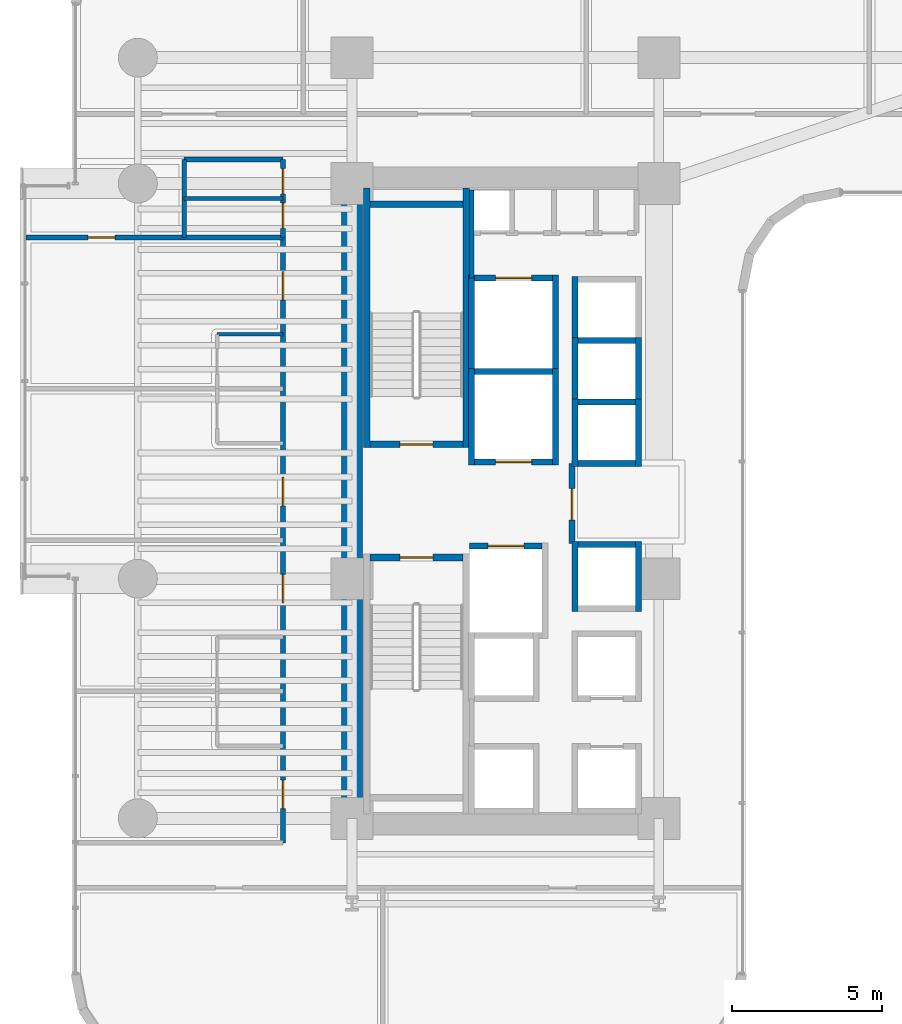
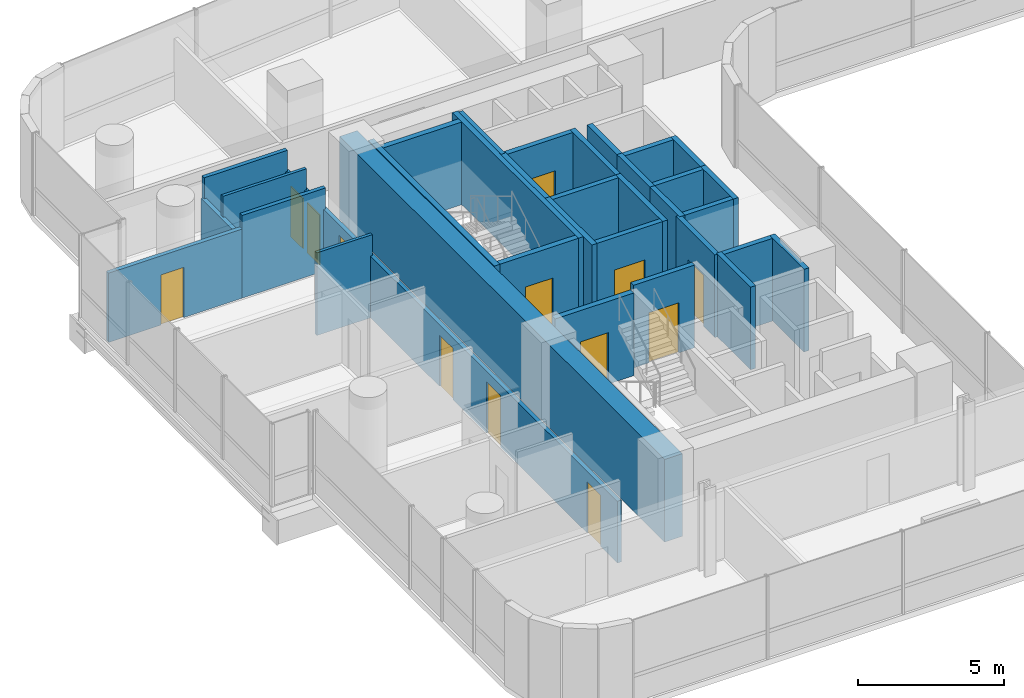
# One storey, part 30 of 39: 35 walls, 13 doors, 13 openings.
"""IFC4 building model written with IfcOpenShell, lengths in metres."""

from ifc_helpers import new_model, si_unit, direction, frame, frame_2d, origin, place, context, subcontext, project, spatial, rectangle, extrude, material, layer, layer_set, type_object, element, fill, save


model = new_model("IFC4")

# Units and contexts
model_context = context("Model", 3, precision=1e-05, world=origin(), true_north=direction((0.0, 1.0)))
body_context = subcontext(model_context, "Body", "Model", "MODEL_VIEW")
ifc_project = project(units=[si_unit("LENGTHUNIT", "METRE"), si_unit("AREAUNIT", "SQUARE_METRE"), si_unit("VOLUMEUNIT", "CUBIC_METRE"), si_unit("PLANEANGLEUNIT", "RADIAN"), si_unit("MASSUNIT", "GRAM", prefix="KILO")], contexts=[model_context])

# Site, building, storey
site_placement = place(None, origin())
site = spatial("IfcSite", under=ifc_project, at=site_placement, CompositionType="ELEMENT")
building_placement = place(site_placement, origin())
building = spatial("IfcBuilding", under=site, at=building_placement, Name="Valdorenza Pilgrim Sanctuary Tower", CompositionType="ELEMENT")
storey_placement = place(building_placement, frame((0.0, 0.0, 77.800048828125)))
storey = spatial("IfcBuildingStorey", under=building, at=storey_placement, Name="L19", CompositionType="ELEMENT", Elevation=77.800048828125)

# Walls
ifc_material_1 = material(Name="Acoustic twin-stud gypsum partition", Category="gypsum")
ifc_layer_1 = layer(ifc_material_1, 0.159912109375, Name="Acoustic twin-stud gypsum partition")
ifc_layer_set_1 = layer_set([ifc_layer_1], Name="Acoustic twin-stud gypsum partition")
wall_type_1 = type_object("IfcWallType", Name="WAL-COR-160", PredefinedType="PARTITIONING", material=ifc_layer_set_1)
wall_1_placement = place(storey_placement, frame((-18.64990234375, 7.449951171875, 0.0), z_axis=(0.0, 0.0, 1.0), x_axis=(0.0, 1.0, 0.0)))
element("IfcWall", 1, at=wall_1_placement, inside=storey, type_object=wall_type_1, Name="L19 Core A North Service West Wall", PredefinedType="PARTITIONING", context=body_context, shape_type="SweptSolid", body=[
    extrude(rectangle(XDim=2.929931640625, YDim=0.159912109375, at=frame_2d((1.46484375, 0.0))), origin(), (0.0, 0.0, 1.0), 3.4599609375),
])
wall_2_placement = place(storey_placement, frame((-28.25, 8.800048828125, 0.0), z_axis=(0.0, 0.0, 1.0), x_axis=(0.0, 1.0, 0.0)))
element("IfcWall", 2, at=wall_2_placement, inside=storey, type_object=wall_type_1, Name="L19 Washroom West Wall", PredefinedType="PARTITIONING", context=body_context, shape_type="SweptSolid", body=[
    extrude(rectangle(XDim=2.599853515625, YDim=0.159912109375, at=frame_2d((1.2998046875, 0.0))), origin(), (0.0, 0.0, 1.0), 2.5830078125),
])

# Wall, openings, doors
wall_3_placement = place(storey_placement, frame((-24.949951171875, 8.800048828125, 0.0), z_axis=(0.0, 0.0, 1.0), x_axis=(0.0, 1.0, 0.0)))
wall_3 = element("IfcWall", 3, at=wall_3_placement, inside=storey, type_object=wall_type_1, Name="L19 Washroom East Wall", PredefinedType="PARTITIONING", context=body_context, shape_type="SweptSolid", body=[
    extrude(rectangle(XDim=2.599853515625, YDim=0.159912109375, at=frame_2d((1.2998046875, 0.0))), origin(), (0.0, 0.0, 1.0), 2.5830078125),
])
opening_1_placement = place(wall_3_placement, frame((0.300048828125, 0.0, 0.0)))
opening_1 = element("IfcOpeningElement", 4, at=opening_1_placement, cuts=wall_3, Name="Opening DR-WC1", PredefinedType="OPENING", context=body_context, shape_type="SweptSolid", body=[
    extrude(rectangle(XDim=0.85009765625, YDim=2.10009765625, at=frame_2d((0.425048828125, 1.050048828125))), frame((0.0, 0.0947265625, 0.0), z_axis=(0.0, -1.0, 0.0), x_axis=(1.0, 0.0, 0.0)), (0.0, 0.0, 1.0), 0.189697265625),
])
opening_2_placement = place(wall_3_placement, frame((1.449951171875, 0.0, 0.0)))
opening_2 = element("IfcOpeningElement", 5, at=opening_2_placement, cuts=wall_3, Name="Opening DR-WC1", PredefinedType="OPENING", context=body_context, shape_type="SweptSolid", body=[
    extrude(rectangle(XDim=0.85009765625, YDim=2.10009765625, at=frame_2d((0.425048828125, 1.050048828125))), frame((0.0, 0.0947265625, 0.0), z_axis=(0.0, -1.0, 0.0), x_axis=(1.0, 0.0, 0.0)), (0.0, 0.0, 1.0), 0.189697265625),
])
ifc_material_2 = material(Name="Moisture-resistant lacquered timber", Category="wood")
door_type_1 = type_object("IfcDoorType", Name="DR-BATH-850", OperationType="NOTDEFINED", PredefinedType="DOOR", material=ifc_material_2)
door_1_placement = place(opening_1_placement, origin())
door_1 = element("IfcDoor", 6, at=door_1_placement, inside=storey, type_object=door_type_1, Name="L19 Accessible Washroom Door", OperationType="SINGLE_SWING_LEFT", OverallHeight=2.10009765625, OverallWidth=0.85009765625, PredefinedType="DOOR", context=body_context, shape_type="SweptSolid", body=[
    extrude(rectangle(XDim=0.85009765625, YDim=2.10009765625, at=frame_2d((0.425048828125, 1.050048828125))), frame((0.0, 0.02490234375, 0.0), z_axis=(0.0, -1.0, 0.0), x_axis=(1.0, 0.0, 0.0)), (0.0, 0.0, 1.0), 0.050048828125),
])
fill(opening_1, door_1)
door_2_placement = place(opening_2_placement, origin())
door_2 = element("IfcDoor", 7, at=door_2_placement, inside=storey, type_object=door_type_1, Name="L19 Public Washroom Door", OperationType="SINGLE_SWING_RIGHT", OverallHeight=2.10009765625, OverallWidth=0.85009765625, PredefinedType="DOOR", context=body_context, shape_type="SweptSolid", body=[
    extrude(rectangle(XDim=0.85009765625, YDim=2.10009765625, at=frame_2d((0.425048828125, 1.050048828125))), frame((0.0, 0.02490234375, 0.0), z_axis=(0.0, -1.0, 0.0), x_axis=(1.0, 0.0, 0.0)), (0.0, 0.0, 1.0), 0.050048828125),
])
fill(opening_2, door_2)

# Walls
for number, where, z_axis, x_axis, name in (
    (8, (-28.25, 8.800048828125, 0.0), (0.0, 0.0, 1.0), (1.0, 0.0, 0.0), "L19 Washroom South Wall"),
    (9, (-28.25, 11.39990234375, 0.0), (0.0, 0.0, 1.0), (1.0, 0.0, 0.0), "L19 Washroom North Wall"),
):
    element("IfcWall", number, at=place(storey_placement, frame(where, z_axis=z_axis, x_axis=x_axis)), inside=storey, type_object=wall_type_1, Name=name, PredefinedType="PARTITIONING", context=body_context, shape_type="SweptSolid", body=[
        extrude(rectangle(XDim=3.300048828125, YDim=0.159912109375, at=frame_2d((1.64990234375, 0.0))), origin(), (0.0, 0.0, 1.0), 3.4599609375),
    ])

# Wall, openings, doors
wall_4_placement = place(storey_placement, frame((-24.949951171875, -11.419921875, 0.0), z_axis=(0.0, 0.0, 1.0), x_axis=(0.0, 1.0, 0.0)))
wall_4 = element("IfcWall", 10, at=wall_4_placement, inside=storey, type_object=wall_type_1, Name="L19 West Wing Corridor Wall", PredefinedType="PARTITIONING", context=body_context, shape_type="SweptSolid", body=[
    extrude(rectangle(XDim=20.219970703125, YDim=0.159912109375, at=frame_2d((10.10986328125, 0.0))), origin(), (0.0, 0.0, 1.0), 2.5830078125),
])
opening_3_placement = place(wall_4_placement, frame((1.14208984375, 0.0, 0.0)))
opening_3 = element("IfcOpeningElement", 11, at=opening_3_placement, cuts=wall_4, Name="Opening DR-UN1", PredefinedType="OPENING", context=body_context, shape_type="SweptSolid", body=[
    extrude(rectangle(XDim=0.949951171875, YDim=2.14990234375, at=frame_2d((0.47509765625, 1.074951171875))), frame((0.0, 0.0947265625, 0.0), z_axis=(0.0, -1.0, 0.0), x_axis=(1.0, 0.0, 0.0)), (0.0, 0.0, 1.0), 0.189697265625),
])
opening_4_placement = place(wall_4_placement, frame((8.01806640625, 0.0, 0.0)))
opening_4 = element("IfcOpeningElement", 12, at=opening_4_placement, cuts=wall_4, Name="Opening DR-UN1", PredefinedType="OPENING", context=body_context, shape_type="SweptSolid", body=[
    extrude(rectangle(XDim=0.949951171875, YDim=2.14990234375, at=frame_2d((0.47509765625, 1.074951171875))), frame((0.0, 0.0947265625, 0.0), z_axis=(0.0, -1.0, 0.0), x_axis=(1.0, 0.0, 0.0)), (0.0, 0.0, 1.0), 0.189697265625),
])
opening_5_placement = place(wall_4_placement, frame((11.251953125, 0.0, 0.0)))
opening_5 = element("IfcOpeningElement", 13, at=opening_5_placement, cuts=wall_4, Name="Opening DR-UN1", PredefinedType="OPENING", context=body_context, shape_type="SweptSolid", body=[
    extrude(rectangle(XDim=0.949951171875, YDim=2.14990234375, at=frame_2d((0.47509765625, 1.074951171875))), frame((0.0, 0.0947265625, 0.0), z_axis=(0.0, -1.0, 0.0), x_axis=(1.0, 0.0, 0.0)), (0.0, 0.0, 1.0), 0.189697265625),
])
opening_6_placement = place(wall_4_placement, frame((18.126953125, 0.0, 0.0)))
opening_6 = element("IfcOpeningElement", 14, at=opening_6_placement, cuts=wall_4, Name="Opening DR-UN1", PredefinedType="OPENING", context=body_context, shape_type="SweptSolid", body=[
    extrude(rectangle(XDim=0.949951171875, YDim=2.14990234375, at=frame_2d((0.47509765625, 1.074951171875))), frame((0.0, 0.0947265625, 0.0), z_axis=(0.0, -1.0, 0.0), x_axis=(1.0, 0.0, 0.0)), (0.0, 0.0, 1.0), 0.189697265625),
])
ifc_material_3 = material(Name="Solid-core European oak timber", Category="wood")
door_type_2 = type_object("IfcDoorType", Name="DR-UNIT-950", OperationType="NOTDEFINED", PredefinedType="DOOR", material=ifc_material_3)
door_3_placement = place(opening_3_placement, origin())
door_3 = element("IfcDoor", 15, at=door_3_placement, inside=storey, type_object=door_type_2, Name="L19 Pilgrim Guest Room L19-W1 Entrance Door", OperationType="SINGLE_SWING_RIGHT", OverallHeight=2.14990234375, OverallWidth=0.949951171875, PredefinedType="DOOR", context=body_context, shape_type="SweptSolid", body=[
    extrude(rectangle(XDim=0.949951171875, YDim=2.14990234375, at=frame_2d((0.47509765625, 1.074951171875))), frame((0.0, 0.02490234375, 0.0), z_axis=(0.0, -1.0, 0.0), x_axis=(1.0, 0.0, 0.0)), (0.0, 0.0, 1.0), 0.050048828125),
])
fill(opening_3, door_3)
door_4_placement = place(opening_4_placement, origin())
door_4 = element("IfcDoor", 16, at=door_4_placement, inside=storey, type_object=door_type_2, Name="L19 Pilgrim Guest Room L19-W2 Entrance Door", OperationType="SINGLE_SWING_RIGHT", OverallHeight=2.14990234375, OverallWidth=0.949951171875, PredefinedType="DOOR", context=body_context, shape_type="SweptSolid", body=[
    extrude(rectangle(XDim=0.949951171875, YDim=2.14990234375, at=frame_2d((0.47509765625, 1.074951171875))), frame((0.0, 0.02490234375, 0.0), z_axis=(0.0, -1.0, 0.0), x_axis=(1.0, 0.0, 0.0)), (0.0, 0.0, 1.0), 0.050048828125),
])
fill(opening_4, door_4)
door_5_placement = place(opening_5_placement, origin())
door_5 = element("IfcDoor", 17, at=door_5_placement, inside=storey, type_object=door_type_2, Name="L19 Pilgrim Guest Room L19-W3 Entrance Door", OperationType="SINGLE_SWING_RIGHT", OverallHeight=2.14990234375, OverallWidth=0.949951171875, PredefinedType="DOOR", context=body_context, shape_type="SweptSolid", body=[
    extrude(rectangle(XDim=0.949951171875, YDim=2.14990234375, at=frame_2d((0.47509765625, 1.074951171875))), frame((0.0, 0.02490234375, 0.0), z_axis=(0.0, -1.0, 0.0), x_axis=(1.0, 0.0, 0.0)), (0.0, 0.0, 1.0), 0.050048828125),
])
fill(opening_5, door_5)
door_6_placement = place(opening_6_placement, origin())
door_6 = element("IfcDoor", 18, at=door_6_placement, inside=storey, type_object=door_type_2, Name="L19 Pilgrim Guest Room L19-W4 Entrance Door", OperationType="SINGLE_SWING_RIGHT", OverallHeight=2.14990234375, OverallWidth=0.949951171875, PredefinedType="DOOR", context=body_context, shape_type="SweptSolid", body=[
    extrude(rectangle(XDim=0.949951171875, YDim=2.14990234375, at=frame_2d((0.47509765625, 1.074951171875))), frame((0.0, 0.02490234375, 0.0), z_axis=(0.0, -1.0, 0.0), x_axis=(1.0, 0.0, 0.0)), (0.0, 0.0, 1.0), 0.050048828125),
])
fill(opening_6, door_6)

# Wall, opening, door
wall_5_placement = place(storey_placement, frame((-33.5400390625, 8.800048828125, 0.0), z_axis=(0.0, 0.0, 1.0), x_axis=(1.0, 0.0, 0.0)))
wall_5 = element("IfcWall", 19, at=wall_5_placement, inside=storey, type_object=wall_type_1, Name="L19 West North Alcove Wall", PredefinedType="PARTITIONING", context=body_context, shape_type="SweptSolid", body=[
    extrude(rectangle(XDim=5.2900390625, YDim=0.159912109375, at=frame_2d((2.64501953125, 0.0))), origin(), (0.0, 0.0, 1.0), 2.89599609375),
])
opening_7_placement = place(wall_5_placement, frame((2.080078125, 0.0, 0.0)))
opening_7 = element("IfcOpeningElement", 20, at=opening_7_placement, cuts=wall_5, Name="Opening DR-RM1", PredefinedType="OPENING", context=body_context, shape_type="SweptSolid", body=[
    extrude(rectangle(XDim=0.89990234375, YDim=2.10009765625, at=frame_2d((0.449951171875, 1.050048828125))), frame((0.0, 0.0947265625, 0.0), z_axis=(0.0, -1.0, 0.0), x_axis=(1.0, 0.0, 0.0)), (0.0, 0.0, 1.0), 0.189697265625),
])
door_type_3 = type_object("IfcDoorType", Name="DR-ROOM-900", OperationType="NOTDEFINED", PredefinedType="DOOR", material=ifc_material_3)
door_7_placement = place(opening_7_placement, frame((0.89990234375, 0.0, 0.0), z_axis=(0.0, 0.0, 1.0), x_axis=(-1.0, 0.0, 0.0)))
door_7 = element("IfcDoor", 21, at=door_7_placement, inside=storey, type_object=door_type_3, Name="L19 Pilgrim Scholar Office L19-WN Door", OperationType="SINGLE_SWING_LEFT", OverallHeight=2.10009765625, OverallWidth=0.89990234375, PredefinedType="DOOR", context=body_context, shape_type="SweptSolid", body=[
    extrude(rectangle(XDim=0.89990234375, YDim=2.10009765625, at=frame_2d((0.449951171875, 1.050048828125))), frame((0.0, 0.02490234375, 0.0), z_axis=(0.0, -1.0, 0.0), x_axis=(1.0, 0.0, 0.0)), (0.0, 0.0, 1.0), 0.050048828125),
])
fill(opening_7, door_7)

# Wall
ifc_material_4 = material(Name="Concrete C60/75", Category="concrete")
ifc_layer_2 = layer(ifc_material_4, 0.699951171875, Name="Concrete C60/75")
ifc_layer_set_2 = layer_set([ifc_layer_2], Name="Concrete C60/75")
wall_type_2 = type_object("IfcWallType", Name="WAL-COR-700", PredefinedType="SHEAR", material=ifc_layer_set_2)
wall_6_placement = place(storey_placement, frame((-22.64990234375, -11.14990234375, 0.0), z_axis=(0.0, 0.0, 1.0), x_axis=(0.0, 1.0, 0.0)))
element("IfcWall", 22, at=wall_6_placement, inside=storey, type_object=wall_type_2, Name="L19 Split Core A Shear Wall W", PredefinedType="SHEAR", context=body_context, shape_type="SweptSolid", body=[
    extrude(rectangle(XDim=22.2998046875, YDim=0.699951171875, at=frame_2d((11.14990234375, 0.0))), origin(), (0.0, 0.0, 1.0), 3.4599609375),
])

# Wall, opening, door
ifc_material_5 = material(Name="Gypsum shaftwall partition", Category="gypsum")
ifc_layer_3 = layer(ifc_material_5, 0.199951171875, Name="Gypsum shaftwall partition")
ifc_layer_set_3 = layer_set([ifc_layer_3], Name="Gypsum shaftwall partition")
wall_type_3 = type_object("IfcWallType", Name="WAL-FFL-200", PredefinedType="PARTITIONING", material=ifc_layer_set_3)
wall_7_placement = place(storey_placement, frame((-15.300048828125, -1.419921875, 0.0), z_axis=(0.0, 0.0, 1.0), x_axis=(0.0, 1.0, 0.0)))
wall_7 = element("IfcWall", 23, at=wall_7_placement, inside=storey, type_object=wall_type_3, Name="L19 Core A Firefighting Lobby East Wall", PredefinedType="PARTITIONING", context=body_context, shape_type="SweptSolid", body=[
    extrude(rectangle(XDim=2.669921875, YDim=0.199951171875, at=frame_2d((1.3349609375, 0.0))), origin(), (0.0, 0.0, 1.0), 3.4599609375),
])
opening_8_placement = place(wall_7_placement, frame((0.780029296875, 0.0, 0.0)))
opening_8 = element("IfcOpeningElement", 24, at=opening_8_placement, cuts=wall_7, Name="Opening DR-FL1", PredefinedType="OPENING", context=body_context, shape_type="SweptSolid", body=[
    extrude(rectangle(XDim=1.050048828125, YDim=2.14990234375, at=frame_2d((0.52490234375, 1.074951171875))), frame((0.0, 0.11474609375, 0.0), z_axis=(0.0, -1.0, 0.0), x_axis=(1.0, 0.0, 0.0)), (0.0, 0.0, 1.0), 0.229736328125),
])
ifc_material_6 = material(Name="Painted galvanized steel", Category="steel")
door_type_4 = type_object("IfcDoorType", Name="DR-FFL-1050", OperationType="NOTDEFINED", PredefinedType="DOOR", material=ifc_material_6)
door_8_placement = place(opening_8_placement, origin())
door_8 = element("IfcDoor", 25, at=door_8_placement, inside=storey, type_object=door_type_4, Name="L19 Core A Firefighting Lobby Door", OperationType="SINGLE_SWING_RIGHT", OverallHeight=2.14990234375, OverallWidth=1.050048828125, PredefinedType="DOOR", context=body_context, shape_type="SweptSolid", body=[
    extrude(rectangle(XDim=1.050048828125, YDim=2.14990234375, at=frame_2d((0.52490234375, 1.074951171875))), frame((0.0, 0.02490234375, 0.0), z_axis=(0.0, -1.0, 0.0), x_axis=(1.0, 0.0, 0.0)), (0.0, 0.0, 1.0), 0.050048828125),
])
fill(opening_8, door_8)

# Walls
ifc_material_7 = material(Name="Moisture-resistant gypsum partition", Category="gypsum")
ifc_layer_4 = layer(ifc_material_7, 0.1201171875, Name="Moisture-resistant gypsum partition")
ifc_layer_set_4 = layer_set([ifc_layer_4], Name="Moisture-resistant gypsum partition")
wall_type_4 = type_object("IfcWallType", Name="WAL-INT-120", PredefinedType="PARTITIONING", material=ifc_layer_set_4)
wall_8_placement = place(storey_placement, frame((-28.25, 10.10009765625, 0.0), z_axis=(0.0, 0.0, 1.0), x_axis=(1.0, 0.0, 0.0)))
element("IfcWall", 26, at=wall_8_placement, inside=storey, type_object=wall_type_4, Name="L19 Washroom Divider Wall", PredefinedType="PARTITIONING", context=body_context, shape_type="SweptSolid", body=[
    extrude(rectangle(XDim=3.300048828125, YDim=0.1201171875, at=frame_2d((1.64990234375, 0.0))), origin(), (0.0, 0.0, 1.0), 3.4599609375),
])
wall_9_placement = place(storey_placement, frame((-27.14990234375, 5.56494140625, 0.0), z_axis=(0.0, 0.0, 1.0), x_axis=(1.0, 0.0, 0.0)))
element("IfcWall", 27, at=wall_9_placement, inside=storey, type_object=wall_type_4, Name="L19 Pilgrim Guest Room L19-W4 En-suite North Wall", PredefinedType="PARTITIONING", context=body_context, shape_type="SweptSolid", body=[
    extrude(rectangle(XDim=2.199951171875, YDim=0.1201171875, at=frame_2d((1.10009765625, 0.0))), origin(), (0.0, 0.0, 1.0), 3.4599609375),
])
ifc_material_8 = material(Name="Autoclaved aerated concrete blockwork", Category="masonry")
ifc_layer_5 = layer(ifc_material_8, 0.199951171875, Name="Autoclaved aerated concrete blockwork")
ifc_layer_set_5 = layer_set([ifc_layer_5], Name="Autoclaved aerated concrete blockwork")
wall_type_5 = type_object("IfcWallType", Name="WAL-SHF-200", PredefinedType="MOVABLE", material=ifc_layer_set_5)
for number, where, z_axis, x_axis, name in (
    (28, (-18.64990234375, 1.199951171875, 0.0), (0.0, 0.0, 1.0), (0.0, 1.0, 0.0), "L19 Lift FFL-01 Hoistway Wall West"),
    (29, (-15.85009765625, 1.199951171875, 0.0), (0.0, 0.0, 1.0), (0.0, 1.0, 0.0), "L19 Lift FFL-01 Hoistway Wall East"),
):
    element("IfcWall", number, at=place(storey_placement, frame(where, z_axis=z_axis, x_axis=x_axis)), inside=storey, type_object=wall_type_5, Name=name, PredefinedType="MOVABLE", context=body_context, shape_type="SweptSolid", body=[
        extrude(rectangle(XDim=3.22509765625, YDim=0.199951171875, at=frame_2d((1.612548828125, 0.0))), origin(), (0.0, 0.0, 1.0), 3.4599609375),
    ])

# Wall, opening, door
wall_10_placement = place(storey_placement, frame((-18.550048828125, 1.300048828125, 0.0), z_axis=(0.0, 0.0, 1.0), x_axis=(1.0, 0.0, 0.0)))
wall_10 = element("IfcWall", 30, at=wall_10_placement, inside=storey, type_object=wall_type_5, Name="L19 Lift FFL-01 Hoistway Wall South", PredefinedType="MOVABLE", context=body_context, shape_type="SweptSolid", body=[
    extrude(rectangle(XDim=2.60009765625, YDim=0.199951171875, at=frame_2d((1.300048828125, 0.0))), origin(), (0.0, 0.0, 1.0), 3.4599609375),
])
opening_9_placement = place(wall_10_placement, frame((0.699951171875, 0.0, 0.0)))
opening_9 = element("IfcOpeningElement", 31, at=opening_9_placement, cuts=wall_10, Name="Opening LD-02", PredefinedType="OPENING", context=body_context, shape_type="SweptSolid", body=[
    extrude(rectangle(XDim=1.199951171875, YDim=2.10009765625, at=frame_2d((0.60009765625, 1.050048828125))), frame((0.0, 0.11474609375, 0.0), z_axis=(0.0, -1.0, 0.0), x_axis=(1.0, 0.0, 0.0)), (0.0, 0.0, 1.0), 0.229736328125),
])
ifc_material_9 = material(Name="Brushed stainless steel Grade 316", Category="steel")
door_type_5 = type_object("IfcDoorType", Name="DR-LFT-1200", OperationType="DOUBLE_DOOR_SLIDING", PredefinedType="DOOR", material=ifc_material_9)
door_9_placement = place(opening_9_placement, origin())
door_9 = element("IfcDoor", 32, at=door_9_placement, inside=storey, type_object=door_type_5, Name="L19 Lift FFL-01 Sliding Landing Door", OperationType="DOUBLE_DOOR_SLIDING", OverallHeight=2.10009765625, OverallWidth=1.199951171875, PredefinedType="DOOR", context=body_context, shape_type="SweptSolid", body=[
    extrude(rectangle(XDim=1.199951171875, YDim=2.10009765625, at=frame_2d((0.60009765625, 1.050048828125))), frame((0.0, 0.02490234375, 0.0), z_axis=(0.0, -1.0, 0.0), x_axis=(1.0, 0.0, 0.0)), (0.0, 0.0, 1.0), 0.050048828125),
])
fill(opening_9, door_9)

# Wall
wall_11_placement = place(storey_placement, frame((-18.550048828125, 4.324951171875, 0.0), z_axis=(0.0, 0.0, 1.0), x_axis=(1.0, 0.0, 0.0)))
element("IfcWall", 33, at=wall_11_placement, inside=storey, type_object=wall_type_5, Name="L19 Lift FFL-01 Hoistway Wall North", PredefinedType="MOVABLE", context=body_context, shape_type="SweptSolid", body=[
    extrude(rectangle(XDim=2.60009765625, YDim=0.199951171875, at=frame_2d((1.300048828125, 0.0))), origin(), (0.0, 0.0, 1.0), 3.4599609375),
])

# Wall, opening, door
wall_12_placement = place(storey_placement, frame((-18.719970703125, -1.5, 0.0), z_axis=(0.0, 0.0, 1.0), x_axis=(1.0, 0.0, 0.0)))
wall_12 = element("IfcWall", 34, at=wall_12_placement, inside=storey, type_object=wall_type_5, Name="L19 Lift FFL-02 Hoistway Wall North", PredefinedType="MOVABLE", context=body_context, shape_type="SweptSolid", body=[
    extrude(rectangle(XDim=2.419921875, YDim=0.199951171875, at=frame_2d((1.2099609375, 0.0))), origin(), (0.0, 0.0, 1.0), 3.4599609375),
])
opening_10_placement = place(wall_12_placement, frame((0.610107421875, 0.0, 0.0)))
opening_10 = element("IfcOpeningElement", 35, at=opening_10_placement, cuts=wall_12, Name="Opening LD-02", PredefinedType="OPENING", context=body_context, shape_type="SweptSolid", body=[
    extrude(rectangle(XDim=1.199951171875, YDim=2.10009765625, at=frame_2d((0.60009765625, 1.050048828125))), frame((0.0, 0.11474609375, 0.0), z_axis=(0.0, -1.0, 0.0), x_axis=(1.0, 0.0, 0.0)), (0.0, 0.0, 1.0), 0.229736328125),
])
door_10_placement = place(opening_10_placement, origin())
door_10 = element("IfcDoor", 36, at=door_10_placement, inside=storey, type_object=door_type_5, Name="L19 Lift FFL-02 Sliding Landing Door", OperationType="DOUBLE_DOOR_SLIDING", OverallHeight=2.10009765625, OverallWidth=1.199951171875, PredefinedType="DOOR", context=body_context, shape_type="SweptSolid", body=[
    extrude(rectangle(XDim=1.199951171875, YDim=2.10009765625, at=frame_2d((0.60009765625, 1.050048828125))), frame((0.0, 0.02490234375, 0.0), z_axis=(0.0, -1.0, 0.0), x_axis=(1.0, 0.0, 0.0)), (0.0, 0.0, 1.0), 0.050048828125),
])
fill(opening_10, door_10)

# Walls
for number, where, z_axis, x_axis, name in (
    (37, (-18.64990234375, 4.22509765625, 0.0), (0.0, 0.0, 1.0), (0.0, 1.0, 0.0), "L19 Lift SVL-01 Hoistway Wall West"),
    (38, (-15.85009765625, 4.22509765625, 0.0), (0.0, 0.0, 1.0), (0.0, 1.0, 0.0), "L19 Lift SVL-01 Hoistway Wall East"),
):
    element("IfcWall", number, at=place(storey_placement, frame(where, z_axis=z_axis, x_axis=x_axis)), inside=storey, type_object=wall_type_5, Name=name, PredefinedType="MOVABLE", context=body_context, shape_type="SweptSolid", body=[
        extrude(rectangle(XDim=3.324951171875, YDim=0.199951171875, at=frame_2d((1.66259765625, 0.0))), origin(), (0.0, 0.0, 1.0), 3.4599609375),
    ])

# Wall, opening, door
wall_13_placement = place(storey_placement, frame((-18.550048828125, 7.449951171875, 0.0), z_axis=(0.0, 0.0, 1.0), x_axis=(1.0, 0.0, 0.0)))
wall_13 = element("IfcWall", 39, at=wall_13_placement, inside=storey, type_object=wall_type_5, Name="L19 Lift SVL-01 Hoistway Wall North", PredefinedType="MOVABLE", context=body_context, shape_type="SweptSolid", body=[
    extrude(rectangle(XDim=2.60009765625, YDim=0.199951171875, at=frame_2d((1.300048828125, 0.0))), origin(), (0.0, 0.0, 1.0), 3.4599609375),
])
opening_11_placement = place(wall_13_placement, frame((0.699951171875, 0.0, 0.0)))
opening_11 = element("IfcOpeningElement", 40, at=opening_11_placement, cuts=wall_13, Name="Opening LD-02", PredefinedType="OPENING", context=body_context, shape_type="SweptSolid", body=[
    extrude(rectangle(XDim=1.199951171875, YDim=2.10009765625, at=frame_2d((0.60009765625, 1.050048828125))), frame((0.0, 0.11474609375, 0.0), z_axis=(0.0, -1.0, 0.0), x_axis=(1.0, 0.0, 0.0)), (0.0, 0.0, 1.0), 0.229736328125),
])
door_11_placement = place(opening_11_placement, origin())
door_11 = element("IfcDoor", 41, at=door_11_placement, inside=storey, type_object=door_type_5, Name="L19 Lift SVL-01 Sliding Landing Door", OperationType="DOUBLE_DOOR_SLIDING", OverallHeight=2.10009765625, OverallWidth=1.199951171875, PredefinedType="DOOR", context=body_context, shape_type="SweptSolid", body=[
    extrude(rectangle(XDim=1.199951171875, YDim=2.10009765625, at=frame_2d((0.60009765625, 1.050048828125))), frame((0.0, 0.02490234375, 0.0), z_axis=(0.0, -1.0, 0.0), x_axis=(1.0, 0.0, 0.0)), (0.0, 0.0, 1.0), 0.050048828125),
])
fill(opening_11, door_11)

# Walls
for number, where, z_axis, x_axis, name in (
    (42, (-15.199951171875, 1.14990234375, 0.0), (0.0, 0.0, 1.0), (0.0, 1.0, 0.0), "L19 Lift PL-06 Hoistway Wall West"),
    (43, (-13.080078125, 1.14990234375, 0.0), (0.0, 0.0, 1.0), (0.0, 1.0, 0.0), "L19 Lift PL-06 Hoistway Wall East"),
):
    element("IfcWall", number, at=place(storey_placement, frame(where, z_axis=z_axis, x_axis=x_axis)), inside=storey, type_object=wall_type_5, Name=name, PredefinedType="MOVABLE", context=body_context, shape_type="SweptSolid", body=[
        extrude(rectangle(XDim=2.25, YDim=0.199951171875, at=frame_2d((1.125, 0.0))), origin(), (0.0, 0.0, 1.0), 3.4599609375),
    ])
wall_14_placement = place(storey_placement, frame((-15.10009765625, 1.25, 0.0), z_axis=(0.0, 0.0, 1.0), x_axis=(1.0, 0.0, 0.0)))
element("IfcWall", 44, at=wall_14_placement, inside=storey, type_object=wall_type_5, Name="L19 Lift PL-06 Hoistway Wall South", PredefinedType="MOVABLE", context=body_context, shape_type="SweptSolid", body=[
    extrude(rectangle(XDim=1.920166015625, YDim=0.199951171875, at=frame_2d((0.9599609375, 0.0))), origin(), (0.0, 0.0, 1.0), 3.4599609375),
])
for number, where, z_axis, x_axis, name in (
    (45, (-15.199951171875, 3.199951171875, 0.0), (0.0, 0.0, 1.0), (0.0, 1.0, 0.0), "L19 Lift PL-09 Hoistway Wall West"),
    (46, (-13.080078125, 3.199951171875, 0.0), (0.0, 0.0, 1.0), (0.0, 1.0, 0.0), "L19 Lift PL-09 Hoistway Wall East"),
):
    element("IfcWall", number, at=place(storey_placement, frame(where, z_axis=z_axis, x_axis=x_axis)), inside=storey, type_object=wall_type_5, Name=name, PredefinedType="MOVABLE", context=body_context, shape_type="SweptSolid", body=[
        extrude(rectangle(XDim=2.25, YDim=0.199951171875, at=frame_2d((1.125, 0.0))), origin(), (0.0, 0.0, 1.0), 3.4599609375),
    ])
for number, where, z_axis, x_axis, name in (
    (47, (-15.10009765625, 3.300048828125, 0.0), (0.0, 0.0, 1.0), (1.0, 0.0, 0.0), "L19 Lift PL-09 Hoistway Wall South"),
    (48, (-15.10009765625, 5.35009765625, 0.0), (0.0, 0.0, 1.0), (1.0, 0.0, 0.0), "L19 Lift PL-09 Hoistway Wall North"),
):
    element("IfcWall", number, at=place(storey_placement, frame(where, z_axis=z_axis, x_axis=x_axis)), inside=storey, type_object=wall_type_5, Name=name, PredefinedType="MOVABLE", context=body_context, shape_type="SweptSolid", body=[
        extrude(rectangle(XDim=1.920166015625, YDim=0.199951171875, at=frame_2d((0.9599609375, 0.0))), origin(), (0.0, 0.0, 1.0), 3.4599609375),
    ])
wall_15_placement = place(storey_placement, frame((-15.199951171875, 5.25, 0.0), z_axis=(0.0, 0.0, 1.0), x_axis=(0.0, 1.0, 0.0)))
element("IfcWall", 49, at=wall_15_placement, inside=storey, type_object=wall_type_5, Name="L19 Lift PL-10 Hoistway Wall West", PredefinedType="MOVABLE", context=body_context, shape_type="SweptSolid", body=[
    extrude(rectangle(XDim=2.25, YDim=0.199951171875, at=frame_2d((1.125, 0.0))), origin(), (0.0, 0.0, 1.0), 3.4599609375),
])
for number, where, z_axis, x_axis, name in (
    (50, (-15.199951171875, -3.699951171875, 0.0), (0.0, 0.0, 1.0), (0.0, 1.0, 0.0), "L19 Lift PL-12 Hoistway Wall West"),
    (51, (-13.080078125, -3.699951171875, 0.0), (0.0, 0.0, 1.0), (0.0, 1.0, 0.0), "L19 Lift PL-12 Hoistway Wall East"),
):
    element("IfcWall", number, at=place(storey_placement, frame(where, z_axis=z_axis, x_axis=x_axis)), inside=storey, type_object=wall_type_5, Name=name, PredefinedType="MOVABLE", context=body_context, shape_type="SweptSolid", body=[
        extrude(rectangle(XDim=2.349853515625, YDim=0.199951171875, at=frame_2d((1.1748046875, 0.0))), origin(), (0.0, 0.0, 1.0), 3.4599609375),
    ])
wall_16_placement = place(storey_placement, frame((-15.10009765625, -1.449951171875, 0.0), z_axis=(0.0, 0.0, 1.0), x_axis=(1.0, 0.0, 0.0)))
element("IfcWall", 52, at=wall_16_placement, inside=storey, type_object=wall_type_5, Name="L19 Lift PL-12 Hoistway Wall North", PredefinedType="MOVABLE", context=body_context, shape_type="SweptSolid", body=[
    extrude(rectangle(XDim=1.920166015625, YDim=0.199951171875, at=frame_2d((0.9599609375, 0.0))), origin(), (0.0, 0.0, 1.0), 3.4599609375),
])
ifc_material_10 = material(Name="Concrete C40/50", Category="concrete")
ifc_layer_6 = layer(ifc_material_10, 0.219970703125, Name="Concrete C40/50")
ifc_layer_set_6 = layer_set([ifc_layer_6], Name="Concrete C40/50")
wall_type_6 = type_object("IfcWallType", Name="WAL-STR-SHF-220", PredefinedType="SHEAR", material=ifc_layer_set_6)
for number, where, z_axis, x_axis, name in (
    (53, (-22.159912109375, 1.780029296875, 0.0), (0.0, 0.0, 1.0), (0.0, 1.0, 0.0), "L19 ST-A1 Structural Stairwell Wall W"),
    (54, (-18.830078125, 1.780029296875, 0.0), (0.0, 0.0, 1.0), (0.0, 1.0, 0.0), "L19 ST-A1 Structural Stairwell Wall E"),
):
    element("IfcWall", number, at=place(storey_placement, frame(where, z_axis=z_axis, x_axis=x_axis)), inside=storey, type_object=wall_type_6, Name=name, PredefinedType="SHEAR", context=body_context, shape_type="SweptSolid", body=[
        extrude(rectangle(XDim=8.669921875, YDim=0.219970703125, at=frame_2d((4.3349609375, 0.0))), origin(), (0.0, 0.0, 1.0), 3.4599609375),
    ])

# Wall, opening, door
wall_17_placement = place(storey_placement, frame((-22.050048828125, 1.889892578125, 0.0), z_axis=(0.0, 0.0, 1.0), x_axis=(1.0, 0.0, 0.0)))
wall_17 = element("IfcWall", 55, at=wall_17_placement, inside=storey, type_object=wall_type_6, Name="L19 ST-A1 Structural Stairwell Wall S", PredefinedType="SHEAR", context=body_context, shape_type="SweptSolid", body=[
    extrude(rectangle(XDim=3.110107421875, YDim=0.219970703125, at=frame_2d((1.55517578125, 0.0))), origin(), (0.0, 0.0, 1.0), 3.4599609375),
])
opening_12_placement = place(wall_17_placement, frame((1.0, 0.0, 0.0)))
opening_12 = element("IfcOpeningElement", 56, at=opening_12_placement, cuts=wall_17, Name="Opening DR-ST1", PredefinedType="OPENING", context=body_context, shape_type="SweptSolid", body=[
    extrude(rectangle(XDim=1.10009765625, YDim=2.14990234375, at=frame_2d((0.550048828125, 1.074951171875))), frame((0.0, 0.125, 0.0), z_axis=(0.0, -1.0, 0.0), x_axis=(1.0, 0.0, 0.0)), (0.0, 0.0, 1.0), 0.249755859375),
])
door_type_6 = type_object("IfcDoorType", Name="DR-STAIR-1100", OperationType="NOTDEFINED", PredefinedType="DOOR", material=ifc_material_6)
door_12_placement = place(opening_12_placement, frame((1.10009765625, 0.0, 0.0), z_axis=(0.0, 0.0, 1.0), x_axis=(-1.0, 0.0, 0.0)))
door_12 = element("IfcDoor", 57, at=door_12_placement, inside=storey, type_object=door_type_6, Name="L19 Exit Stair ST-A1 Door", OperationType="SINGLE_SWING_LEFT", OverallHeight=2.14990234375, OverallWidth=1.10009765625, PredefinedType="DOOR", context=body_context, shape_type="SweptSolid", body=[
    extrude(rectangle(XDim=1.10009765625, YDim=2.14990234375, at=frame_2d((0.550048828125, 1.074951171875))), frame((0.0, 0.02490234375, 0.0), z_axis=(0.0, -1.0, 0.0), x_axis=(1.0, 0.0, 0.0)), (0.0, 0.0, 1.0), 0.050048828125),
])
fill(opening_12, door_12)

# Wall
wall_18_placement = place(storey_placement, frame((-22.050048828125, 9.909912109375, 0.0), z_axis=(0.0, 0.0, 1.0), x_axis=(1.0, 0.0, 0.0)))
element("IfcWall", 58, at=wall_18_placement, inside=storey, type_object=wall_type_6, Name="L19 ST-A1 Structural Stairwell Wall N", PredefinedType="SHEAR", context=body_context, shape_type="SweptSolid", body=[
    extrude(rectangle(XDim=3.110107421875, YDim=0.219970703125, at=frame_2d((1.55517578125, 0.0))), origin(), (0.0, 0.0, 1.0), 3.4599609375),
])

# Wall, opening, door
wall_19_placement = place(storey_placement, frame((-22.050048828125, -1.889892578125, 0.0), z_axis=(0.0, 0.0, 1.0), x_axis=(1.0, 0.0, 0.0)))
wall_19 = element("IfcWall", 59, at=wall_19_placement, inside=storey, type_object=wall_type_6, Name="L19 ST-A2 Structural Stairwell Wall N", PredefinedType="SHEAR", context=body_context, shape_type="SweptSolid", body=[
    extrude(rectangle(XDim=3.110107421875, YDim=0.219970703125, at=frame_2d((1.55517578125, 0.0))), origin(), (0.0, 0.0, 1.0), 3.4599609375),
])
opening_13_placement = place(wall_19_placement, frame((1.0, 0.0, 0.0)))
opening_13 = element("IfcOpeningElement", 60, at=opening_13_placement, cuts=wall_19, Name="Opening DR-ST1", PredefinedType="OPENING", context=body_context, shape_type="SweptSolid", body=[
    extrude(rectangle(XDim=1.10009765625, YDim=2.14990234375, at=frame_2d((0.550048828125, 1.074951171875))), frame((0.0, 0.125, 0.0), z_axis=(0.0, -1.0, 0.0), x_axis=(1.0, 0.0, 0.0)), (0.0, 0.0, 1.0), 0.249755859375),
])
door_13_placement = place(opening_13_placement, origin())
door_13 = element("IfcDoor", 61, at=door_13_placement, inside=storey, type_object=door_type_6, Name="L19 Exit Stair ST-A2 Door", OperationType="SINGLE_SWING_RIGHT", OverallHeight=2.14990234375, OverallWidth=1.10009765625, PredefinedType="DOOR", context=body_context, shape_type="SweptSolid", body=[
    extrude(rectangle(XDim=1.10009765625, YDim=2.14990234375, at=frame_2d((0.550048828125, 1.074951171875))), frame((0.0, 0.02490234375, 0.0), z_axis=(0.0, -1.0, 0.0), x_axis=(1.0, 0.0, 0.0)), (0.0, 0.0, 1.0), 0.050048828125),
])
fill(opening_13, door_13)

save(model, "model.ifc")
